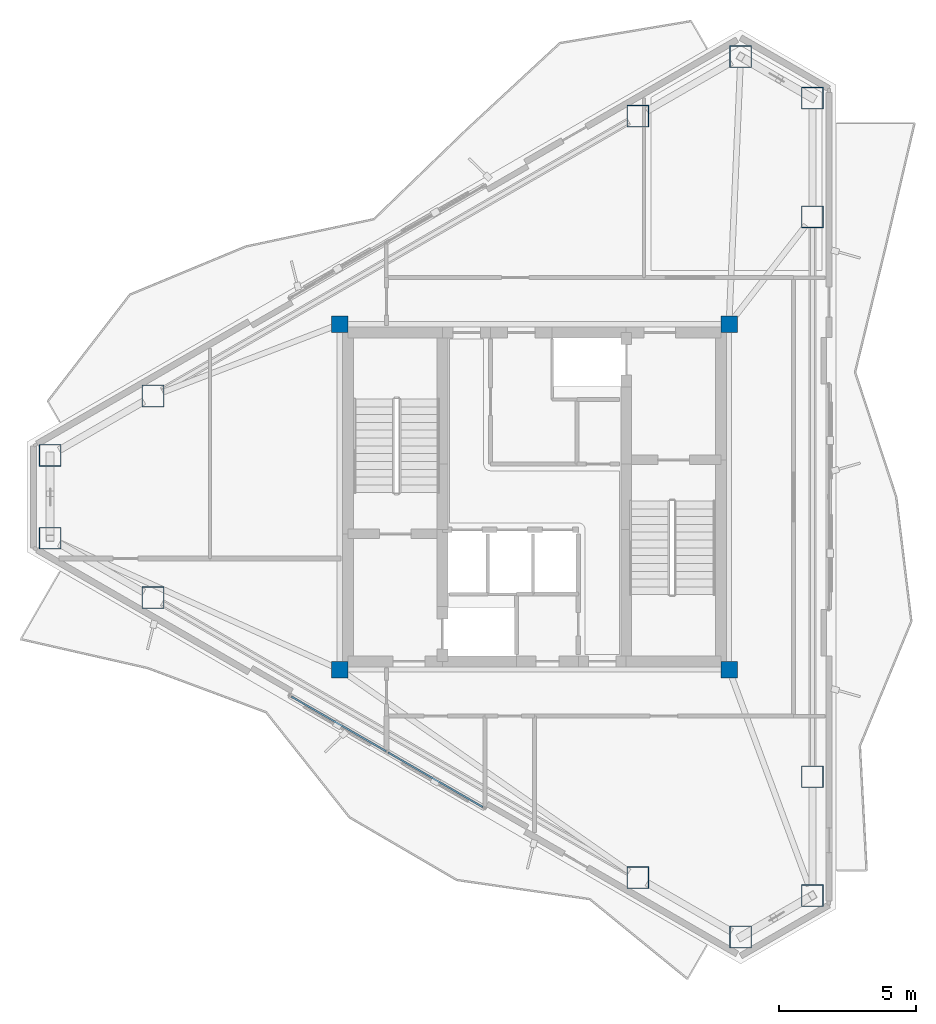
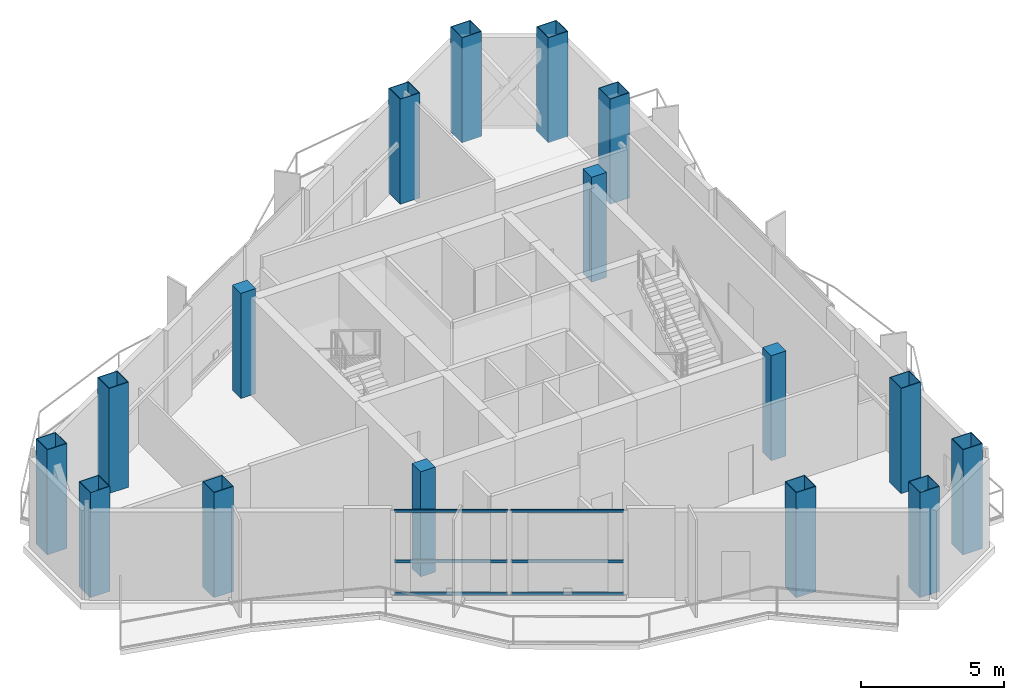
# One storey, part 1 of 14: 16 columns, 6 members, 1 element without a shape of its own.
"""IFC4 building model written with IfcOpenShell, lengths in metres."""

from ifc_helpers import new_model, si_unit, direction, frame, origin, origin_2d, place, context, subcontext, project, spatial, rectangle, hollow_rectangle, extrude, material, layer, layer_set, material_profile, profile_set, type_object, element, aggregate, save


model = new_model("IFC4")

# Units and contexts
model_context = context("Model", 3, precision=1e-05, world=origin(), true_north=direction((0.0, 1.0)))
body_context = subcontext(model_context, "Body", "Model", "MODEL_VIEW")
ifc_project = project(units=[si_unit("LENGTHUNIT", "METRE"), si_unit("AREAUNIT", "SQUARE_METRE"), si_unit("VOLUMEUNIT", "CUBIC_METRE"), si_unit("PLANEANGLEUNIT", "RADIAN"), si_unit("MASSUNIT", "GRAM", prefix="KILO")], contexts=[model_context])

# Site, building, storey
site_placement = place(None, origin())
site = spatial("IfcSite", under=ifc_project, at=site_placement, CompositionType="ELEMENT")
building_placement = place(site_placement, origin())
building = spatial("IfcBuilding", under=site, at=building_placement, Name="Mersakhor Tower and Convention Hall", CompositionType="ELEMENT")
storey_placement = place(building_placement, frame((0.0, 0.0, 254.10009765625)))
storey = spatial("IfcBuildingStorey", under=building, at=storey_placement, Name="L71", CompositionType="ELEMENT", Elevation=254.10009765625)

# Columns
ifc_material_1 = material(Name="Concrete C50/60 in S460M steel box", Category="concrete")
ifc_material_profile_1 = material_profile(ifc_material_1, hollow_rectangle(XDim=0.800048828125, YDim=0.800048828125, WallThickness=0.02490234375, at=origin_2d()), Name="SHS 800x800x25")
ifc_profile_set_1 = profile_set([ifc_material_profile_1], Name="Concrete C50/60 in S460M steel box")
column_type_1 = type_object("IfcColumnType", Name="COL-CFT-800", PredefinedType="COLUMN", material=ifc_profile_set_1)
for number, where, z_axis, x_axis, name in (
    (1, (11.33203125, 28.26123046875, 0.0), (0.0, 0.0, 1.0), (1.0, 0.0, 0.0), "L71 Perimeter Mega-Column MC-01"),
    (2, (15.085693359375, 30.428466796875, 0.0), (0.0, 0.0, 1.0), (1.0, 0.0, 0.0), "L71 Perimeter Mega-Column MC-02"),
    (3, (32.771484375, 40.639404296875, 0.0), (0.0, 0.0, 1.0), (1.0, 0.0, 0.0), "L71 Perimeter Mega-Column MC-03"),
    (4, (36.525146484375, 42.806640625, 0.0), (0.0, 0.0, 1.0), (1.0, 0.0, 0.0), "L71 Perimeter Mega-Column MC-04"),
    (5, (39.142822265625, 41.29541015625, 0.0), (0.0, 0.0, 1.0), (1.0, 0.0, 0.0), "L71 Perimeter Mega-Column MC-05"),
    (6, (39.142822265625, 36.960693359375, 0.0), (0.0, 0.0, 1.0), (1.0, 0.0, 0.0), "L71 Perimeter Mega-Column MC-06"),
    (7, (39.142822265625, 16.539306640625, 0.0), (0.0, 0.0, 1.0), (1.0, 0.0, 0.0), "L71 Perimeter Mega-Column MC-07"),
    (8, (39.142822265625, 12.20458984375, 0.0), (0.0, 0.0, 1.0), (1.0, 0.0, 0.0), "L71 Perimeter Mega-Column MC-08"),
    (9, (36.525146484375, 10.693359375, 0.0), (0.0, 0.0, 1.0), (1.0, 0.0, 0.0), "L71 Perimeter Mega-Column MC-09"),
    (10, (32.771484375, 12.860595703125, 0.0), (0.0, 0.0, 1.0), (1.0, 0.0, 0.0), "L71 Perimeter Mega-Column MC-10"),
    (11, (15.085693359375, 23.071533203125, 0.0), (0.0, 0.0, 1.0), (1.0, 0.0, 0.0), "L71 Perimeter Mega-Column MC-11"),
    (12, (11.33203125, 25.23876953125, 0.0), (0.0, 0.0, 1.0), (1.0, 0.0, 0.0), "L71 Perimeter Mega-Column MC-12"),
):
    element("IfcColumn", number, at=place(storey_placement, frame(where, z_axis=z_axis, x_axis=x_axis)), inside=storey, type_object=column_type_1, Name=name, PredefinedType="COLUMN", context=body_context, shape_type="SweptSolid", body=[
        extrude(hollow_rectangle(XDim=0.800048828125, YDim=0.800048828125, WallThickness=0.02490234375, at=origin_2d()), origin(), (0.0, 0.0, 1.0), 4.5),
    ])
ifc_material_2 = material(Name="Concrete C50/60", Category="concrete")
ifc_material_profile_2 = material_profile(ifc_material_2, rectangle(XDim=0.60009765625, YDim=0.60009765625, at=origin_2d()), Name="RC 600x600")
ifc_profile_set_2 = profile_set([ifc_material_profile_2], Name="Concrete C50/60")
column_type_2 = type_object("IfcColumnType", Name="COL-RC-600", PredefinedType="COLUMN", material=ifc_profile_set_2)
for number, where, z_axis, x_axis, name in (
    (13, (21.89990234375, 20.449951171875, 0.0), (0.0, 0.0, 1.0), (1.0, 0.0, 0.0), "L71 Core Corner Column CC-1"),
    (14, (21.89990234375, 33.050048828125, 0.0), (0.0, 0.0, 1.0), (1.0, 0.0, 0.0), "L71 Core Corner Column CC-2"),
    (15, (36.10009765625, 33.050048828125, 0.0), (0.0, 0.0, 1.0), (1.0, 0.0, 0.0), "L71 Core Corner Column CC-3"),
    (16, (36.10009765625, 20.449951171875, 0.0), (0.0, 0.0, 1.0), (1.0, 0.0, 0.0), "L71 Core Corner Column CC-4"),
):
    element("IfcColumn", number, at=place(storey_placement, frame(where, z_axis=z_axis, x_axis=x_axis)), inside=storey, type_object=column_type_2, Name=name, PredefinedType="COLUMN", context=body_context, shape_type="SweptSolid", body=[
        extrude(rectangle(XDim=0.60009765625, YDim=0.60009765625, at=origin_2d()), origin(), (0.0, 0.0, 1.0), 4.5),
    ])

# Curtain wall, members
ifc_material_3 = material(Name="Dark solar low-E aluminium curtain wall", Category="aluminium")
ifc_layer = layer(ifc_material_3, 0.2099609375)
ifc_layer_set = layer_set([ifc_layer], Name="Dark solar low-E aluminium curtain wall")
curtain_wall_type = type_object("IfcCurtainWallType", Name="CW-SYS-06", PredefinedType="USERDEFINED", material=ifc_layer_set)
curtain_wall_placement = place(storey_placement, origin())
curtain_wall = element("IfcCurtainWall", 17, at=curtain_wall_placement, inside=storey, type_object=curtain_wall_type, Name="L71 Dark-Glass Curtain Wall F3-B2", ObjectType="CURTAIN WALL", PredefinedType="USERDEFINED")
ifc_material_4 = material(Name="Anodised aluminium EN AW-6063 T6", Category="aluminium")
ifc_material_profile_3 = material_profile(ifc_material_4, hollow_rectangle(XDim=0.06005859375, YDim=0.1201171875, WallThickness=0.0048828125, at=origin_2d()), Name="RHS 120x60x5")
ifc_profile_set_3 = profile_set([ifc_material_profile_3], Name="Anodised aluminium EN AW-6063 T6")
member_type = type_object("IfcMemberType", Name="CWT-120x60", PredefinedType="USERDEFINED", material=ifc_profile_set_3)
member_1_placement = place(storey_placement, frame((27.1220703125, 15.429443359375, 0.22998046875), z_axis=(-0.866007437469, 0.50003111728, 0.0), x_axis=(-0.50003111728, -0.866007437469, 0.0)))
member_1 = element("IfcMember", 18, at=member_1_placement, type_object=member_type, Name="CW-06 transom 1.1", ObjectType="TRANSOM", PredefinedType="USERDEFINED", context=body_context, shape_type="SweptSolid", body=[
    extrude(hollow_rectangle(XDim=0.06005859375, YDim=0.1201171875, WallThickness=0.0048828125, at=origin_2d()), origin(), (0.0, 0.0, 1.0), 3.993896484375),
])
member_2_placement = place(storey_placement, frame((27.1220703125, 15.429443359375, 1.619873046875), z_axis=(-0.866007437469, 0.50003111728, 0.0), x_axis=(-0.50003111728, -0.866007437469, 0.0)))
member_2 = element("IfcMember", 19, at=member_2_placement, type_object=member_type, Name="CW-06 transom 1.2", ObjectType="TRANSOM", PredefinedType="USERDEFINED", context=body_context, shape_type="SweptSolid", body=[
    extrude(hollow_rectangle(XDim=0.06005859375, YDim=0.1201171875, WallThickness=0.0048828125, at=origin_2d()), origin(), (0.0, 0.0, 1.0), 3.993896484375),
])
member_3_placement = place(storey_placement, frame((27.1220703125, 15.429443359375, 3.77001953125), z_axis=(-0.866007437469, 0.50003111728, 0.0), x_axis=(-0.50003111728, -0.866007437469, 0.0)))
member_3 = element("IfcMember", 20, at=member_3_placement, type_object=member_type, Name="CW-06 transom 1.3", ObjectType="TRANSOM", PredefinedType="USERDEFINED", context=body_context, shape_type="SweptSolid", body=[
    extrude(hollow_rectangle(XDim=0.06005859375, YDim=0.1201171875, WallThickness=0.0048828125, at=origin_2d()), origin(), (0.0, 0.0, 1.0), 3.993896484375),
])
member_4_placement = place(storey_placement, frame((23.593994140625, 17.466552734375, 0.22998046875), z_axis=(-0.866033907579, 0.499985270706, 0.0), x_axis=(-0.499985270706, -0.866033907579, 0.0)))
member_4 = element("IfcMember", 21, at=member_4_placement, type_object=member_type, Name="CW-06 transom 2.1", ObjectType="TRANSOM", PredefinedType="USERDEFINED", context=body_context, shape_type="SweptSolid", body=[
    extrude(hollow_rectangle(XDim=0.06005859375, YDim=0.1201171875, WallThickness=0.0048828125, at=origin_2d()), origin(), (0.0, 0.0, 1.0), 3.99365234375),
])
member_5_placement = place(storey_placement, frame((23.593994140625, 17.466552734375, 1.619873046875), z_axis=(-0.866033907579, 0.499985270706, 0.0), x_axis=(-0.499985270706, -0.866033907579, 0.0)))
member_5 = element("IfcMember", 22, at=member_5_placement, type_object=member_type, Name="CW-06 transom 2.2", ObjectType="TRANSOM", PredefinedType="USERDEFINED", context=body_context, shape_type="SweptSolid", body=[
    extrude(hollow_rectangle(XDim=0.06005859375, YDim=0.1201171875, WallThickness=0.0048828125, at=origin_2d()), origin(), (0.0, 0.0, 1.0), 3.99365234375),
])
member_6_placement = place(storey_placement, frame((23.593994140625, 17.466552734375, 3.77001953125), z_axis=(-0.866033907579, 0.499985270706, 0.0), x_axis=(-0.499985270706, -0.866033907579, 0.0)))
member_6 = element("IfcMember", 23, at=member_6_placement, type_object=member_type, Name="CW-06 transom 2.3", ObjectType="TRANSOM", PredefinedType="USERDEFINED", context=body_context, shape_type="SweptSolid", body=[
    extrude(hollow_rectangle(XDim=0.06005859375, YDim=0.1201171875, WallThickness=0.0048828125, at=origin_2d()), origin(), (0.0, 0.0, 1.0), 3.99365234375),
])
aggregate(curtain_wall, [member_1, member_2, member_3, member_4, member_5, member_6])

save(model, "model.ifc")
